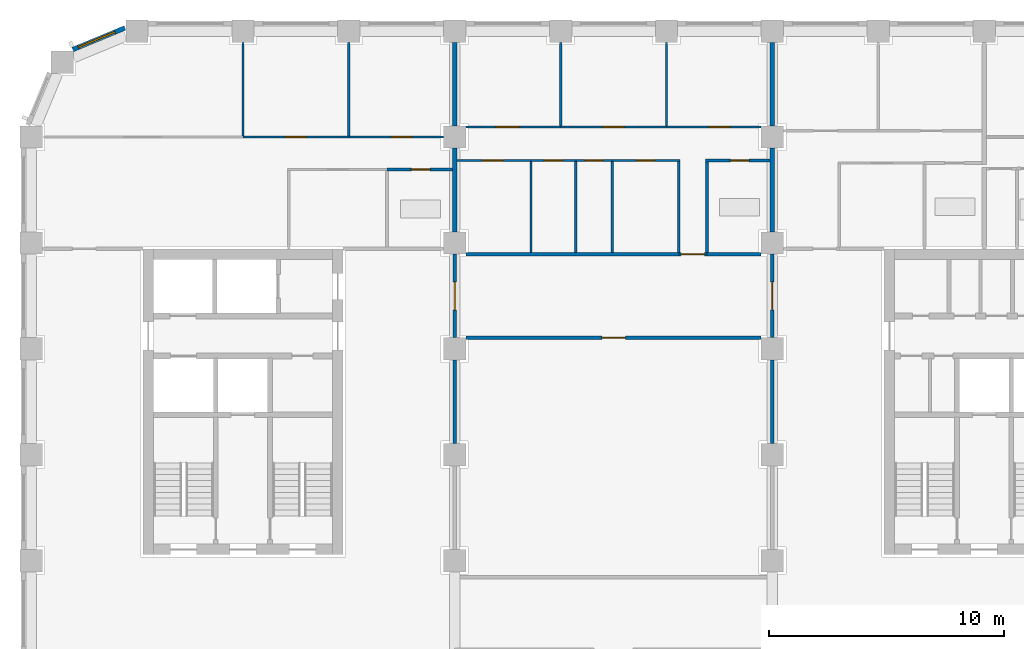
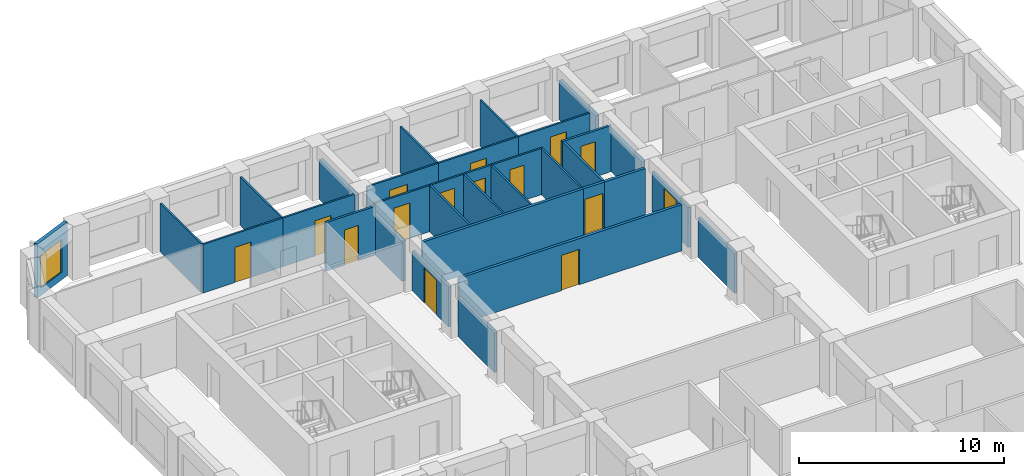
# One storey, part 7 of 13: 33 walls, 15 doors, 1 window, 16 openings.
"""IFC4 building model written with IfcOpenShell, lengths in metres."""

import ifcopenshell
import ifcopenshell.guid

model = None  # the IFC model being written
_history = None  # IfcOwnerHistory: only IFC2X3 demands one
_inside = {}  # id of a spatial element -> (the spatial element, [elements in it])
_under = {}  # id of a project, library or spatial element -> (it, [spatial elements below it])
_declared = {}  # id of a project -> (the project, [libraries it declares])
_typed = {}  # id of a type object -> (the type object, [elements of that type])
_made_of = {}  # id of a material, layer set ... -> (it, [elements and type objects made of it])


def new_model(schema):
    """Start an empty IFC model of exactly this schema.

    Asked for "IFC4X3", IfcOpenShell would pick the latest addendum, in which some entities
    have other attributes; the version numbers below select the first issue.
    IFC2X3 requires an IfcOwnerHistory on every rooted entity: one is made here for all.
    """
    global model, _history
    if schema == "IFC4X3":
        model = ifcopenshell.file(schema_version=(4, 3, 0, 0))
    else:
        model = ifcopenshell.file(schema=schema)
    _inside.clear()
    _under.clear()
    _declared.clear()
    _typed.clear()
    _made_of.clear()
    _history = None
    if model.schema == "IFC2X3":
        org = make("IfcOrganization", Name="unknown")
        user = make(
            "IfcPersonAndOrganization",
            ThePerson=make("IfcPerson", FamilyName="unknown"),
            TheOrganization=org,
        )
        app = make(
            "IfcApplication",
            ApplicationDeveloper=org,
            Version="unknown",
            ApplicationFullName="unknown",
            ApplicationIdentifier="unknown",
        )
        _history = make(
            "IfcOwnerHistory",
            OwningUser=user,
            OwningApplication=app,
            ChangeAction="ADDED",
            CreationDate=0,
        )
    return model


def make(cls, **values):
    """One entity of the class cls with the attributes given. An attribute that is None is left unset."""
    return model.create_entity(
        cls, **{name: value for name, value in values.items() if value is not None}
    )


def rooted(cls, **values):
    """An entity with a GlobalId (a new one), such as an element, a storey or a relation."""
    return make(cls, GlobalId=ifcopenshell.guid.new(), OwnerHistory=_history, **values)


def si_unit(unit_type, name, prefix=None):
    """IfcSIUnit, for example si_unit("LENGTHUNIT", "METRE", prefix="MILLI")."""
    return make("IfcSIUnit", UnitType=unit_type, Prefix=prefix, Name=name)


def assignment(units):
    """IfcUnitAssignment: the units of a project."""
    return None if units is None else make("IfcUnitAssignment", Units=units)


def point(xyz):
    """IfcCartesianPoint."""
    return None if xyz is None else make("IfcCartesianPoint", Coordinates=xyz)


def direction(xyz):
    """IfcDirection."""
    return None if xyz is None else make("IfcDirection", DirectionRatios=xyz)


def frame(location, z_axis=None, x_axis=None):
    """IfcAxis2Placement3D, a coordinate frame: its origin and axes. An axis left out is left unset."""
    return make(
        "IfcAxis2Placement3D",
        Location=point(location),
        Axis=direction(z_axis),
        RefDirection=direction(x_axis),
    )


def frame_2d(location, x_axis=None):
    """IfcAxis2Placement2D, a coordinate frame in the plane: its origin and x axis."""
    return make(
        "IfcAxis2Placement2D", Location=point(location), RefDirection=direction(x_axis)
    )


def origin():
    """The frame at (0, 0, 0) with its axes left unset."""
    return frame((0.0, 0.0, 0.0))


def place(relative_to, where):
    """IfcLocalPlacement: puts the frame where relative to a parent placement (None: the world)."""
    return make(
        "IfcLocalPlacement", PlacementRelTo=relative_to, RelativePlacement=where
    )


def context(
    kind, dimensions, precision=None, world=None, true_north=None, identifier=None
):
    """IfcGeometricRepresentationContext, for example the 3D "Model" context."""
    return make(
        "IfcGeometricRepresentationContext",
        ContextIdentifier=identifier,
        ContextType=kind,
        CoordinateSpaceDimension=dimensions,
        Precision=precision,
        WorldCoordinateSystem=world,
        TrueNorth=true_north,
    )


def subcontext(parent, identifier, kind, view, scale=None):
    """IfcGeometricRepresentationSubContext, for example "Body" below "Model"."""
    return make(
        "IfcGeometricRepresentationSubContext",
        ContextIdentifier=identifier,
        ContextType=kind,
        ParentContext=parent,
        TargetScale=scale,
        TargetView=view,
    )


def project(units=None, contexts=None):
    """IfcProject with its units and contexts."""
    return rooted(
        "IfcProject",
        Name="project",
        RepresentationContexts=contexts,
        UnitsInContext=assignment(units),
    )


def spatial(cls, under=None, at=None, **own):
    """A site, building, storey or space (cls), placed at a placement, below another one or the project."""
    s = rooted(cls, ObjectPlacement=at, **own)
    if under is not None:
        _under.setdefault(under.id(), (under, []))[1].append(s)
    return s


def profile(cls, at=None, kind="AREA", **sizes):
    """A parametric profile (cls). Its sizes go by their IFC names, for example OverallWidth=200.0."""
    return make(cls, ProfileType=kind, Position=at, **sizes)


def rectangle(**sizes):
    """IfcRectangleProfileDef."""
    return profile("IfcRectangleProfileDef", **sizes)


def extrude(swept, where, along, depth):
    """IfcExtrudedAreaSolid: the profile swept, set in the frame where, extruded along a direction by depth."""
    return make(
        "IfcExtrudedAreaSolid",
        SweptArea=swept,
        Position=where,
        ExtrudedDirection=direction(along),
        Depth=depth,
    )


def shape(context_of_items, identifier, shape_type, items):
    """IfcShapeRepresentation: the items that make up one representation, for example the "Body"."""
    return make(
        "IfcShapeRepresentation",
        ContextOfItems=context_of_items,
        RepresentationIdentifier=identifier,
        RepresentationType=shape_type,
        Items=items,
    )


def material(Name=None, Category=None):
    """IfcMaterial."""
    return make("IfcMaterial", Name=Name, Category=Category)


def layer(
    of_material, thickness, ventilated=None, Name=None, Category=None, Priority=None
):
    """IfcMaterialLayer: one layer of a wall or slab, of a material (None: an air gap)."""
    return make(
        "IfcMaterialLayer",
        Material=of_material,
        LayerThickness=thickness,
        IsVentilated=ventilated,
        Name=Name,
        Category=Category,
        Priority=Priority,
    )


def layer_set(layers, Name=None):
    """IfcMaterialLayerSet."""
    return make("IfcMaterialLayerSet", MaterialLayers=layers, LayerSetName=Name)


def made_of(thing, what):
    """Note that an element or type object is made of a material, layer set ...; save() writes the relation."""
    if what is not None:
        _made_of.setdefault(what.id(), (what, []))[1].append(thing)
    return thing


def type_object(cls, material=None, **own):
    """A type object (cls), such as IfcWallType, which elements share."""
    return made_of(rooted(cls, **own), material)


def element(
    cls,
    number,
    at=None,
    inside=None,
    cuts=None,
    type_object=None,
    material=None,
    context=None,
    identifier="Body",
    shape_type=None,
    held_by="IfcProductDefinitionShape",
    body=None,
    shapes=None,
    **own,
):
    """One element of the class cls, such as IfcWall. Its Tag is "e" and its number.

    at: its placement. inside: the storey or other place that contains it. cuts: it is an
    opening in that element (IfcRelVoidsElement). A single representation is given by context,
    identifier, shape_type and body (its items); several are given by shapes. held_by: the class
    of the entity that holds the representations. save() writes the other relations.
    """
    e = rooted(cls, Tag="e%d" % number, ObjectPlacement=at, **own)
    if body is not None:
        shapes = [shape(context, identifier, shape_type, body)]
    if shapes is not None:
        e.Representation = make(held_by, Representations=shapes)
    if inside is not None:
        _inside.setdefault(inside.id(), (inside, []))[1].append(e)
    if cuts is not None:
        rooted(
            "IfcRelVoidsElement", RelatingBuildingElement=cuts, RelatedOpeningElement=e
        )
    if type_object is not None:
        _typed.setdefault(type_object.id(), (type_object, []))[1].append(e)
    return made_of(e, material)


def fill(opening, filler):
    """IfcRelFillsElement: the door or window that sits in an opening."""
    return rooted(
        "IfcRelFillsElement",
        RelatingOpeningElement=opening,
        RelatedBuildingElement=filler,
    )


def aggregate(whole, parts):
    """IfcRelAggregates: a whole, such as a stair, and the parts it consists of."""
    return rooted("IfcRelAggregates", RelatingObject=whole, RelatedObjects=parts)


def save(model, path):
    """Write the relations noted so far, then the file.

    IfcRelAggregates (storeys below a building ...), IfcRelContainedInSpatialStructure (elements
    in a storey), IfcRelDefinesByType, IfcRelAssociatesMaterial and IfcRelDeclares: one each for
    every whole, place, type object, material and project.
    """
    for whole, parts in _under.values():
        aggregate(whole, parts)
    for where, things in _inside.values():
        rooted(
            "IfcRelContainedInSpatialStructure",
            RelatedElements=things,
            RelatingStructure=where,
        )
    for kind, things in _typed.values():
        rooted("IfcRelDefinesByType", RelatedObjects=things, RelatingType=kind)
    for what, things in _made_of.values():
        rooted("IfcRelAssociatesMaterial", RelatedObjects=things, RelatingMaterial=what)
    for by, libraries in _declared.values():
        rooted("IfcRelDeclares", RelatingContext=by, RelatedDefinitions=libraries)
    model.write(path)


model = new_model("IFC4")

# Units and contexts
model_context = context("Model", 3, precision=1e-05, world=origin(), true_north=direction((0.0, 1.0)))
body_context = subcontext(model_context, "Body", "Model", "MODEL_VIEW")
ifc_project = project(units=[si_unit("LENGTHUNIT", "METRE"), si_unit("AREAUNIT", "SQUARE_METRE"), si_unit("VOLUMEUNIT", "CUBIC_METRE"), si_unit("PLANEANGLEUNIT", "RADIAN"), si_unit("MASSUNIT", "GRAM", prefix="KILO")], contexts=[model_context])

# Site, building, storey
site_placement = place(None, origin())
site = spatial("IfcSite", under=ifc_project, at=site_placement, CompositionType="ELEMENT")
building_placement = place(site_placement, origin())
building = spatial("IfcBuilding", under=site, at=building_placement, Name="Girih Gate Residences", CompositionType="ELEMENT")
storey_placement = place(building_placement, frame((0.0, 0.0, 130.199951171875)))
storey = spatial("IfcBuildingStorey", under=building, at=storey_placement, Name="L36", CompositionType="ELEMENT", Elevation=130.199951171875)

# Wall
ifc_material_1 = material(Name="Gypsum board on steel studs", Category="steel")
ifc_layer_1 = layer(ifc_material_1, 0.14990234375)
ifc_layer_set_1 = layer_set([ifc_layer_1], Name="Compartment wall 150 mm")
wall_type_1 = type_object("IfcWallType", Name="Compartment wall 150 mm", PredefinedType="PARTITIONING", material=ifc_layer_set_1)
wall_1_placement = place(storey_placement, frame((28.72509765625, 40.02490234375, 0.0), z_axis=(0.0, 0.0, 1.0), x_axis=(1.0, 0.0, 0.0)))
element("IfcWall", 1, at=wall_1_placement, inside=storey, type_object=wall_type_1, Name="L36 partition", PredefinedType="PARTITIONING", context=body_context, shape_type="SweptSolid", body=[
    extrude(rectangle(XDim=2.2998046875, YDim=0.14990234375, at=frame_2d((1.14990234375, 0.0))), origin(), (0.0, 0.0, 1.0), 2.75),
])

# Wall, opening, door
wall_2_placement = place(storey_placement, frame((27.52490234375, 40.02490234375, 0.0), z_axis=(0.0, 0.0, 1.0), x_axis=(1.0, 0.0, 0.0)))
wall_2 = element("IfcWall", 2, at=wall_2_placement, inside=storey, type_object=wall_type_1, Name="L36 partition", PredefinedType="PARTITIONING", context=body_context, shape_type="SweptSolid", body=[
    extrude(rectangle(XDim=1.2001953125, YDim=0.14990234375, at=frame_2d((0.60009765625, 0.0))), origin(), (0.0, 0.0, 1.0), 2.75),
])
opening_1_placement = place(wall_2_placement, frame((0.10009765625, 0.0, 0.0)))
opening_1 = element("IfcOpeningElement", 3, at=opening_1_placement, cuts=wall_2, Name="Opening A36-045", PredefinedType="OPENING", context=body_context, shape_type="SweptSolid", body=[
    extrude(rectangle(XDim=1.0, YDim=2.10009765625, at=frame_2d((0.5, 1.050048828125))), frame((0.0, 0.0849609375, 0.0), z_axis=(0.0, -1.0, 0.0), x_axis=(1.0, 0.0, 0.0)), (0.0, 0.0, 1.0), 0.169921875),
])
ifc_material_2 = material(Name="Timber, fire-rated core", Category="wood")
door_type_1 = type_object("IfcDoorType", Name="Flat entrance door 1000x2100 FD30S", OperationType="NOTDEFINED", PredefinedType="DOOR", material=ifc_material_2)
door_1_placement = place(opening_1_placement, origin())
door_1 = element("IfcDoor", 4, at=door_1_placement, inside=storey, type_object=door_type_1, Name="Door A36-045", OperationType="SINGLE_SWING_RIGHT", OverallHeight=2.10009765625, OverallWidth=1.0, PredefinedType="DOOR", context=body_context, shape_type="SweptSolid", body=[
    extrude(rectangle(XDim=1.0, YDim=2.10009765625, at=frame_2d((0.5, 1.050048828125))), frame((0.0, 0.02490234375, 0.0), z_axis=(0.0, -1.0, 0.0), x_axis=(1.0, 0.0, 0.0)), (0.0, 0.0, 1.0), 0.050048828125),
])
fill(opening_1, door_1)

# Wall
wall_3_placement = place(storey_placement, frame((18.47509765625, 40.02490234375, 0.0), z_axis=(0.0, 0.0, 1.0), x_axis=(1.0, 0.0, 0.0)))
element("IfcWall", 5, at=wall_3_placement, inside=storey, type_object=wall_type_1, Name="L36 partition", PredefinedType="PARTITIONING", context=body_context, shape_type="SweptSolid", body=[
    extrude(rectangle(XDim=9.0498046875, YDim=0.14990234375, at=frame_2d((4.52490234375, 0.0))), origin(), (0.0, 0.0, 1.0), 2.75),
])

# Wall, opening, door
wall_4_placement = place(storey_placement, frame((31.02490234375, 36.47509765625, 0.0), z_axis=(0.0, 0.0, 1.0), x_axis=(-1.0, 0.0, 0.0)))
wall_4 = element("IfcWall", 6, at=wall_4_placement, inside=storey, type_object=wall_type_1, Name="L36 partition", PredefinedType="PARTITIONING", context=body_context, shape_type="SweptSolid", body=[
    extrude(rectangle(XDim=12.5498046875, YDim=0.14990234375, at=frame_2d((6.27490234375, 0.0))), origin(), (0.0, 0.0, 1.0), 2.75),
])
opening_2_placement = place(wall_4_placement, frame((5.77490234375, 0.0, 0.0)))
opening_2 = element("IfcOpeningElement", 7, at=opening_2_placement, cuts=wall_4, Name="Opening A36-046", PredefinedType="OPENING", context=body_context, shape_type="SweptSolid", body=[
    extrude(rectangle(XDim=1.0, YDim=2.10009765625, at=frame_2d((0.5, 1.050048828125))), frame((0.0, 0.0849609375, 0.0), z_axis=(0.0, -1.0, 0.0), x_axis=(1.0, 0.0, 0.0)), (0.0, 0.0, 1.0), 0.169921875),
])
door_type_2 = type_object("IfcDoorType", Name="Amenity room door 1000x2100 FD30S", OperationType="NOTDEFINED", PredefinedType="DOOR", material=ifc_material_2)
door_2_placement = place(opening_2_placement, origin())
door_2 = element("IfcDoor", 8, at=door_2_placement, inside=storey, type_object=door_type_2, Name="Door A36-046", OperationType="SINGLE_SWING_RIGHT", OverallHeight=2.10009765625, OverallWidth=1.0, PredefinedType="DOOR", context=body_context, shape_type="SweptSolid", body=[
    extrude(rectangle(XDim=1.0, YDim=2.10009765625, at=frame_2d((0.5, 1.050048828125))), frame((0.0, 0.02490234375, 0.0), z_axis=(0.0, -1.0, 0.0), x_axis=(1.0, 0.0, 0.0)), (0.0, 0.0, 1.0), 0.050048828125),
])
fill(opening_2, door_2)

wall_5_placement = place(storey_placement, frame((31.5, 36.47509765625, 0.0), z_axis=(0.0, 0.0, 1.0), x_axis=(0.0, 1.0, 0.0)))
wall_5 = element("IfcWall", 9, at=wall_5_placement, inside=storey, type_object=wall_type_1, Name="L36 partition", PredefinedType="PARTITIONING", context=body_context, shape_type="SweptSolid", body=[
    extrude(rectangle(XDim=3.5498046875, YDim=0.14990234375, at=frame_2d((1.77490234375, 0.0))), origin(), (0.0, 0.0, 1.0), 2.380126953125),
])
opening_3_placement = place(wall_5_placement, frame((1.175048828125, 0.0, 0.0)))
opening_3 = element("IfcOpeningElement", 10, at=opening_3_placement, cuts=wall_5, Name="Opening A36-047", PredefinedType="OPENING", context=body_context, shape_type="SweptSolid", body=[
    extrude(rectangle(XDim=1.199951171875, YDim=2.10009765625, at=frame_2d((0.60009765625, 1.050048828125))), frame((0.0, 0.0849609375, 0.0), z_axis=(0.0, -1.0, 0.0), x_axis=(1.0, 0.0, 0.0)), (0.0, 0.0, 1.0), 0.169921875),
])
door_type_3 = type_object("IfcDoorType", Name="Corridor fire door 1200x2100 FD30S", OperationType="NOTDEFINED", PredefinedType="DOOR", material=ifc_material_2)
door_3_placement = place(opening_3_placement, origin())
door_3 = element("IfcDoor", 11, at=door_3_placement, inside=storey, type_object=door_type_3, Name="Door A36-047", OperationType="SINGLE_SWING_LEFT", OverallHeight=2.10009765625, OverallWidth=1.199951171875, PredefinedType="DOOR", context=body_context, shape_type="SweptSolid", body=[
    extrude(rectangle(XDim=1.199951171875, YDim=2.10009765625, at=frame_2d((0.60009765625, 1.050048828125))), frame((0.0, 0.02490234375, 0.0), z_axis=(0.0, -1.0, 0.0), x_axis=(1.0, 0.0, 0.0)), (0.0, 0.0, 1.0), 0.050048828125),
])
fill(opening_3, door_3)

wall_6_placement = place(storey_placement, frame((18.0, 40.02490234375, 0.0), z_axis=(0.0, 0.0, 1.0), x_axis=(0.0, -1.0, 0.0)))
wall_6 = element("IfcWall", 12, at=wall_6_placement, inside=storey, type_object=wall_type_1, Name="L36 partition", PredefinedType="PARTITIONING", context=body_context, shape_type="SweptSolid", body=[
    extrude(rectangle(XDim=3.5498046875, YDim=0.14990234375, at=frame_2d((1.77490234375, 0.0))), origin(), (0.0, 0.0, 1.0), 2.380126953125),
])
opening_4_placement = place(wall_6_placement, frame((1.175048828125, 0.0, 0.0)))
opening_4 = element("IfcOpeningElement", 13, at=opening_4_placement, cuts=wall_6, Name="Opening A36-048", PredefinedType="OPENING", context=body_context, shape_type="SweptSolid", body=[
    extrude(rectangle(XDim=1.199951171875, YDim=2.10009765625, at=frame_2d((0.60009765625, 1.050048828125))), frame((0.0, 0.0849609375, 0.0), z_axis=(0.0, -1.0, 0.0), x_axis=(1.0, 0.0, 0.0)), (0.0, 0.0, 1.0), 0.169921875),
])
door_4_placement = place(opening_4_placement, origin())
door_4 = element("IfcDoor", 14, at=door_4_placement, inside=storey, type_object=door_type_3, Name="Door A36-048", OperationType="SINGLE_SWING_LEFT", OverallHeight=2.10009765625, OverallWidth=1.199951171875, PredefinedType="DOOR", context=body_context, shape_type="SweptSolid", body=[
    extrude(rectangle(XDim=1.199951171875, YDim=2.10009765625, at=frame_2d((0.60009765625, 1.050048828125))), frame((0.0, 0.02490234375, 0.0), z_axis=(0.0, -1.0, 0.0), x_axis=(1.0, 0.0, 0.0)), (0.0, 0.0, 1.0), 0.050048828125),
])
fill(opening_4, door_4)

# Walls
for number, where, z_axis, x_axis, name in (
    (15, (31.5, 31.97509765625, 0.0), (0.0, 0.0, 1.0), (0.0, 1.0, 0.0), "L36 partition"),
    (16, (18.0, 31.97509765625, 0.0), (0.0, 0.0, 1.0), (0.0, 1.0, 0.0), "L36 partition"),
):
    element("IfcWall", number, at=place(storey_placement, frame(where, z_axis=z_axis, x_axis=x_axis)), inside=storey, type_object=wall_type_1, Name=name, PredefinedType="PARTITIONING", context=body_context, shape_type="SweptSolid", body=[
        extrude(rectangle(XDim=3.5498046875, YDim=0.14990234375, at=frame_2d((1.77490234375, 0.0))), origin(), (0.0, 0.0, 1.0), 2.380126953125),
    ])
ifc_layer_2 = layer(ifc_material_1, 0.10009765625)
ifc_layer_set_2 = layer_set([ifc_layer_2], Name="Partition 100 mm")
wall_type_2 = type_object("IfcWallType", Name="Partition 100 mm", PredefinedType="PARTITIONING", material=ifc_layer_set_2)
wall_7_placement = place(storey_placement, frame((13.5, 45.050048828125, 0.0), z_axis=(0.0, 0.0, 1.0), x_axis=(0.0, 1.0, 0.0)))
element("IfcWall", 17, at=wall_7_placement, inside=storey, type_object=wall_type_2, Name="L36 partition", PredefinedType="PARTITIONING", context=body_context, shape_type="SweptSolid", body=[
    extrude(rectangle(XDim=3.974853515625, YDim=0.10009765625, at=frame_2d((1.9873046875, 0.0))), origin(), (0.0, 0.0, 1.0), 2.900146484375),
])

# Wall, opening, door
wall_8_placement = place(storey_placement, frame((9.0, 45.0, 0.0), z_axis=(0.0, 0.0, 1.0), x_axis=(1.0, 0.0, 0.0)))
wall_8 = element("IfcWall", 18, at=wall_8_placement, inside=storey, type_object=wall_type_2, Name="L36 partition", PredefinedType="PARTITIONING", context=body_context, shape_type="SweptSolid", body=[
    extrude(rectangle(XDim=4.5, YDim=0.10009765625, at=frame_2d((2.25, 0.0))), origin(), (0.0, 0.0, 1.0), 2.900146484375),
])
opening_5_placement = place(wall_8_placement, frame((1.800048828125, 0.0, 0.0)))
opening_5 = element("IfcOpeningElement", 19, at=opening_5_placement, cuts=wall_8, Name="Opening A36-012", PredefinedType="OPENING", context=body_context, shape_type="SweptSolid", body=[
    extrude(rectangle(XDim=0.89990234375, YDim=2.10009765625, at=frame_2d((0.449951171875, 1.050048828125))), frame((0.0, 0.06005859375, 0.0), z_axis=(0.0, -1.0, 0.0), x_axis=(1.0, 0.0, 0.0)), (0.0, 0.0, 1.0), 0.1201171875),
])
ifc_material_3 = material(Name="Timber", Category="wood")
door_type_4 = type_object("IfcDoorType", Name="Bedroom door 900x2100", OperationType="NOTDEFINED", PredefinedType="DOOR", material=ifc_material_3)
door_5_placement = place(opening_5_placement, origin())
door_5 = element("IfcDoor", 20, at=door_5_placement, inside=storey, type_object=door_type_4, Name="Door A36-012", OperationType="SINGLE_SWING_LEFT", OverallHeight=2.10009765625, OverallWidth=0.89990234375, PredefinedType="DOOR", context=body_context, shape_type="SweptSolid", body=[
    extrude(rectangle(XDim=0.89990234375, YDim=2.10009765625, at=frame_2d((0.449951171875, 1.050048828125))), frame((0.0, 0.02490234375, 0.0), z_axis=(0.0, -1.0, 0.0), x_axis=(1.0, 0.0, 0.0)), (0.0, 0.0, 1.0), 0.050048828125),
])
fill(opening_5, door_5)

# Wall
wall_9_placement = place(storey_placement, frame((9.0, 45.050048828125, 0.0), z_axis=(0.0, 0.0, 1.0), x_axis=(0.0, 1.0, 0.0)))
element("IfcWall", 21, at=wall_9_placement, inside=storey, type_object=wall_type_2, Name="L36 partition", PredefinedType="PARTITIONING", context=body_context, shape_type="SweptSolid", body=[
    extrude(rectangle(XDim=3.974853515625, YDim=0.10009765625, at=frame_2d((1.9873046875, 0.0))), origin(), (0.0, 0.0, 1.0), 2.900146484375),
])

# Wall, opening, door
wall_10_placement = place(storey_placement, frame((13.5, 45.0, 0.0), z_axis=(0.0, 0.0, 1.0), x_axis=(1.0, 0.0, 0.0)))
wall_10 = element("IfcWall", 22, at=wall_10_placement, inside=storey, type_object=wall_type_2, Name="L36 partition", PredefinedType="PARTITIONING", context=body_context, shape_type="SweptSolid", body=[
    extrude(rectangle(XDim=4.02490234375, YDim=0.10009765625, at=frame_2d((2.012451171875, 0.0))), origin(), (0.0, 0.0, 1.0), 2.900146484375),
])
opening_6_placement = place(wall_10_placement, frame((1.800048828125, 0.0, 0.0)))
opening_6 = element("IfcOpeningElement", 23, at=opening_6_placement, cuts=wall_10, Name="Opening A36-013", PredefinedType="OPENING", context=body_context, shape_type="SweptSolid", body=[
    extrude(rectangle(XDim=0.89990234375, YDim=2.10009765625, at=frame_2d((0.449951171875, 1.050048828125))), frame((0.0, 0.06005859375, 0.0), z_axis=(0.0, -1.0, 0.0), x_axis=(1.0, 0.0, 0.0)), (0.0, 0.0, 1.0), 0.1201171875),
])
door_6_placement = place(opening_6_placement, origin())
door_6 = element("IfcDoor", 24, at=door_6_placement, inside=storey, type_object=door_type_4, Name="Door A36-013", OperationType="SINGLE_SWING_RIGHT", OverallHeight=2.10009765625, OverallWidth=0.89990234375, PredefinedType="DOOR", context=body_context, shape_type="SweptSolid", body=[
    extrude(rectangle(XDim=0.89990234375, YDim=2.10009765625, at=frame_2d((0.449951171875, 1.050048828125))), frame((0.0, 0.02490234375, 0.0), z_axis=(0.0, -1.0, 0.0), x_axis=(1.0, 0.0, 0.0)), (0.0, 0.0, 1.0), 0.050048828125),
])
fill(opening_6, door_6)

# Wall
wall_11_placement = place(storey_placement, frame((27.0, 45.47509765625, 0.0), z_axis=(0.0, 0.0, 1.0), x_axis=(0.0, 1.0, 0.0)))
element("IfcWall", 25, at=wall_11_placement, inside=storey, type_object=wall_type_2, Name="L36 partition", PredefinedType="PARTITIONING", context=body_context, shape_type="SweptSolid", body=[
    extrude(rectangle(XDim=3.5498046875, YDim=0.10009765625, at=frame_2d((1.77490234375, 0.0))), origin(), (0.0, 0.0, 1.0), 2.75),
])

# Wall, opening, door
wall_12_placement = place(storey_placement, frame((22.5, 45.425048828125, 0.0), z_axis=(0.0, 0.0, 1.0), x_axis=(1.0, 0.0, 0.0)))
wall_12 = element("IfcWall", 26, at=wall_12_placement, inside=storey, type_object=wall_type_2, Name="L36 partition", PredefinedType="PARTITIONING", context=body_context, shape_type="SweptSolid", body=[
    extrude(rectangle(XDim=4.5, YDim=0.10009765625, at=frame_2d((2.25, 0.0))), origin(), (0.0, 0.0, 1.0), 2.75),
])
opening_7_placement = place(wall_12_placement, frame((1.800048828125, 0.0, 0.0)))
opening_7 = element("IfcOpeningElement", 27, at=opening_7_placement, cuts=wall_12, Name="Opening A36-038", PredefinedType="OPENING", context=body_context, shape_type="SweptSolid", body=[
    extrude(rectangle(XDim=0.89990234375, YDim=2.10009765625, at=frame_2d((0.449951171875, 1.050048828125))), frame((0.0, 0.06005859375, 0.0), z_axis=(0.0, -1.0, 0.0), x_axis=(1.0, 0.0, 0.0)), (0.0, 0.0, 1.0), 0.1201171875),
])
door_7_placement = place(opening_7_placement, origin())
door_7 = element("IfcDoor", 28, at=door_7_placement, inside=storey, type_object=door_type_4, Name="Door A36-038", OperationType="SINGLE_SWING_LEFT", OverallHeight=2.10009765625, OverallWidth=0.89990234375, PredefinedType="DOOR", context=body_context, shape_type="SweptSolid", body=[
    extrude(rectangle(XDim=0.89990234375, YDim=2.10009765625, at=frame_2d((0.449951171875, 1.050048828125))), frame((0.0, 0.02490234375, 0.0), z_axis=(0.0, -1.0, 0.0), x_axis=(1.0, 0.0, 0.0)), (0.0, 0.0, 1.0), 0.050048828125),
])
fill(opening_7, door_7)

# Wall
wall_13_placement = place(storey_placement, frame((22.5, 45.47509765625, 0.0), z_axis=(0.0, 0.0, 1.0), x_axis=(0.0, 1.0, 0.0)))
element("IfcWall", 29, at=wall_13_placement, inside=storey, type_object=wall_type_2, Name="L36 partition", PredefinedType="PARTITIONING", context=body_context, shape_type="SweptSolid", body=[
    extrude(rectangle(XDim=3.5498046875, YDim=0.10009765625, at=frame_2d((1.77490234375, 0.0))), origin(), (0.0, 0.0, 1.0), 2.75),
])

# Wall, opening, door
wall_14_placement = place(storey_placement, frame((27.0, 45.425048828125, 0.0), z_axis=(0.0, 0.0, 1.0), x_axis=(1.0, 0.0, 0.0)))
wall_14 = element("IfcWall", 30, at=wall_14_placement, inside=storey, type_object=wall_type_2, Name="L36 partition", PredefinedType="PARTITIONING", context=body_context, shape_type="SweptSolid", body=[
    extrude(rectangle(XDim=4.02490234375, YDim=0.10009765625, at=frame_2d((2.012451171875, 0.0))), origin(), (0.0, 0.0, 1.0), 2.75),
])
opening_8_placement = place(wall_14_placement, frame((1.800048828125, 0.0, 0.0)))
opening_8 = element("IfcOpeningElement", 31, at=opening_8_placement, cuts=wall_14, Name="Opening A36-039", PredefinedType="OPENING", context=body_context, shape_type="SweptSolid", body=[
    extrude(rectangle(XDim=0.89990234375, YDim=2.10009765625, at=frame_2d((0.449951171875, 1.050048828125))), frame((0.0, 0.06005859375, 0.0), z_axis=(0.0, -1.0, 0.0), x_axis=(1.0, 0.0, 0.0)), (0.0, 0.0, 1.0), 0.1201171875),
])
door_8_placement = place(opening_8_placement, origin())
door_8 = element("IfcDoor", 32, at=door_8_placement, inside=storey, type_object=door_type_4, Name="Door A36-039", OperationType="SINGLE_SWING_RIGHT", OverallHeight=2.10009765625, OverallWidth=0.89990234375, PredefinedType="DOOR", context=body_context, shape_type="SweptSolid", body=[
    extrude(rectangle(XDim=0.89990234375, YDim=2.10009765625, at=frame_2d((0.449951171875, 1.050048828125))), frame((0.0, 0.02490234375, 0.0), z_axis=(0.0, -1.0, 0.0), x_axis=(1.0, 0.0, 0.0)), (0.0, 0.0, 1.0), 0.050048828125),
])
fill(opening_8, door_8)

wall_15_placement = place(storey_placement, frame((27.574951171875, 44.0048828125, 0.0), z_axis=(0.0, 0.0, 1.0), x_axis=(-1.0, 0.0, 0.0)))
wall_15 = element("IfcWall", 33, at=wall_15_placement, inside=storey, type_object=wall_type_2, Name="L36 partition", PredefinedType="PARTITIONING", context=body_context, shape_type="SweptSolid", body=[
    extrude(rectangle(XDim=2.881103515625, YDim=0.10009765625, at=frame_2d((1.4404296875, 0.0))), origin(), (0.0, 0.0, 1.0), 2.75),
])
opening_9_placement = place(wall_15_placement, frame((1.065673828125, 0.0, 0.0)))
opening_9 = element("IfcOpeningElement", 34, at=opening_9_placement, cuts=wall_15, Name="Opening A36-040", PredefinedType="OPENING", context=body_context, shape_type="SweptSolid", body=[
    extrude(rectangle(XDim=0.800048828125, YDim=2.10009765625, at=frame_2d((0.39990234375, 1.050048828125))), frame((0.0, 0.06005859375, 0.0), z_axis=(0.0, -1.0, 0.0), x_axis=(1.0, 0.0, 0.0)), (0.0, 0.0, 1.0), 0.1201171875),
])
door_type_5 = type_object("IfcDoorType", Name="Store door 800x2100", OperationType="NOTDEFINED", PredefinedType="DOOR", material=ifc_material_3)
door_9_placement = place(opening_9_placement, origin())
door_9 = element("IfcDoor", 35, at=door_9_placement, inside=storey, type_object=door_type_5, Name="Door A36-040", OperationType="SINGLE_SWING_RIGHT", OverallHeight=2.10009765625, OverallWidth=0.800048828125, PredefinedType="DOOR", context=body_context, shape_type="SweptSolid", body=[
    extrude(rectangle(XDim=0.800048828125, YDim=2.10009765625, at=frame_2d((0.39990234375, 1.050048828125))), frame((0.0, 0.02490234375, 0.0), z_axis=(0.0, -1.0, 0.0), x_axis=(1.0, 0.0, 0.0)), (0.0, 0.0, 1.0), 0.050048828125),
])
fill(opening_9, door_9)

# Walls
for number, where, z_axis, x_axis, name in (
    (36, (27.52490234375, 40.10009765625, 0.0), (0.0, 0.0, 1.0), (0.0, 1.0, 0.0), "L36 partition"),
    (37, (24.694091796875, 40.10009765625, 0.0), (0.0, 0.0, 1.0), (0.0, 1.0, 0.0), "L36 partition"),
):
    element("IfcWall", number, at=place(storey_placement, frame(where, z_axis=z_axis, x_axis=x_axis)), inside=storey, type_object=wall_type_2, Name=name, PredefinedType="PARTITIONING", context=body_context, shape_type="SweptSolid", body=[
        extrude(rectangle(XDim=3.85498046875, YDim=0.10009765625, at=frame_2d((1.927490234375, 0.0))), origin(), (0.0, 0.0, 1.0), 2.75),
    ])

# Wall, opening, door
wall_16_placement = place(storey_placement, frame((21.23974609375, 44.0048828125, 0.0), z_axis=(0.0, 0.0, 1.0), x_axis=(-1.0, 0.0, 0.0)))
wall_16 = element("IfcWall", 38, at=wall_16_placement, inside=storey, type_object=wall_type_2, Name="L36 partition", PredefinedType="PARTITIONING", context=body_context, shape_type="SweptSolid", body=[
    extrude(rectangle(XDim=3.1396484375, YDim=0.10009765625, at=frame_2d((1.56982421875, 0.0))), origin(), (0.0, 0.0, 1.0), 2.75),
])
opening_10_placement = place(wall_16_placement, frame((1.169921875, 0.0, 0.0)))
opening_10 = element("IfcOpeningElement", 39, at=opening_10_placement, cuts=wall_16, Name="Opening A36-041", PredefinedType="OPENING", context=body_context, shape_type="SweptSolid", body=[
    extrude(rectangle(XDim=0.89990234375, YDim=2.10009765625, at=frame_2d((0.449951171875, 1.050048828125))), frame((0.0, 0.06005859375, 0.0), z_axis=(0.0, -1.0, 0.0), x_axis=(1.0, 0.0, 0.0)), (0.0, 0.0, 1.0), 0.1201171875),
])
door_type_6 = type_object("IfcDoorType", Name="Kitchen door 900x2100", OperationType="NOTDEFINED", PredefinedType="DOOR", material=ifc_material_3)
door_10_placement = place(opening_10_placement, origin())
door_10 = element("IfcDoor", 40, at=door_10_placement, inside=storey, type_object=door_type_6, Name="Door A36-041", OperationType="SINGLE_SWING_RIGHT", OverallHeight=2.10009765625, OverallWidth=0.89990234375, PredefinedType="DOOR", context=body_context, shape_type="SweptSolid", body=[
    extrude(rectangle(XDim=0.89990234375, YDim=2.10009765625, at=frame_2d((0.449951171875, 1.050048828125))), frame((0.0, 0.02490234375, 0.0), z_axis=(0.0, -1.0, 0.0), x_axis=(1.0, 0.0, 0.0)), (0.0, 0.0, 1.0), 0.050048828125),
])
fill(opening_10, door_10)

wall_17_placement = place(storey_placement, frame((18.47509765625, 45.425048828125, 0.0), z_axis=(0.0, 0.0, 1.0), x_axis=(1.0, 0.0, 0.0)))
wall_17 = element("IfcWall", 41, at=wall_17_placement, inside=storey, type_object=wall_type_2, Name="L36 partition", PredefinedType="PARTITIONING", context=body_context, shape_type="SweptSolid", body=[
    extrude(rectangle(XDim=4.02490234375, YDim=0.10009765625, at=frame_2d((2.012451171875, 0.0))), origin(), (0.0, 0.0, 1.0), 2.75),
])
opening_11_placement = place(wall_17_placement, frame((1.27490234375, 0.0, 0.0)))
opening_11 = element("IfcOpeningElement", 42, at=opening_11_placement, cuts=wall_17, Name="Opening A36-042", PredefinedType="OPENING", context=body_context, shape_type="SweptSolid", body=[
    extrude(rectangle(XDim=1.0, YDim=2.10009765625, at=frame_2d((0.5, 1.050048828125))), frame((0.0, 0.06005859375, 0.0), z_axis=(0.0, -1.0, 0.0), x_axis=(1.0, 0.0, 0.0)), (0.0, 0.0, 1.0), 0.1201171875),
])
door_type_7 = type_object("IfcDoorType", Name="Living room door 1000x2100", OperationType="NOTDEFINED", PredefinedType="DOOR", material=ifc_material_3)
door_11_placement = place(opening_11_placement, origin())
door_11 = element("IfcDoor", 43, at=door_11_placement, inside=storey, type_object=door_type_7, Name="Door A36-042", OperationType="SINGLE_SWING_LEFT", OverallHeight=2.10009765625, OverallWidth=1.0, PredefinedType="DOOR", context=body_context, shape_type="SweptSolid", body=[
    extrude(rectangle(XDim=1.0, YDim=2.10009765625, at=frame_2d((0.5, 1.050048828125))), frame((0.0, 0.02490234375, 0.0), z_axis=(0.0, -1.0, 0.0), x_axis=(1.0, 0.0, 0.0)), (0.0, 0.0, 1.0), 0.050048828125),
])
fill(opening_11, door_11)

wall_18_placement = place(storey_placement, frame((24.69384765625, 44.0048828125, 0.0), z_axis=(0.0, 0.0, 1.0), x_axis=(-1.0, 0.0, 0.0)))
wall_18 = element("IfcWall", 44, at=wall_18_placement, inside=storey, type_object=wall_type_2, Name="L36 partition", PredefinedType="PARTITIONING", context=body_context, shape_type="SweptSolid", body=[
    extrude(rectangle(XDim=1.5439453125, YDim=0.10009765625, at=frame_2d((0.77197265625, 0.0))), origin(), (0.0, 0.0, 1.0), 2.75),
])
opening_12_placement = place(wall_18_placement, frame((0.3720703125, 0.0, 0.0)))
opening_12 = element("IfcOpeningElement", 45, at=opening_12_placement, cuts=wall_18, Name="Opening A36-043", PredefinedType="OPENING", context=body_context, shape_type="SweptSolid", body=[
    extrude(rectangle(XDim=0.800048828125, YDim=2.10009765625, at=frame_2d((0.39990234375, 1.050048828125))), frame((0.0, 0.06005859375, 0.0), z_axis=(0.0, -1.0, 0.0), x_axis=(1.0, 0.0, 0.0)), (0.0, 0.0, 1.0), 0.1201171875),
])
door_12_placement = place(opening_12_placement, origin())
door_12 = element("IfcDoor", 46, at=door_12_placement, inside=storey, type_object=door_type_5, Name="Door A36-043", OperationType="SINGLE_SWING_LEFT", OverallHeight=2.10009765625, OverallWidth=0.800048828125, PredefinedType="DOOR", context=body_context, shape_type="SweptSolid", body=[
    extrude(rectangle(XDim=0.800048828125, YDim=2.10009765625, at=frame_2d((0.39990234375, 1.050048828125))), frame((0.0, 0.02490234375, 0.0), z_axis=(0.0, -1.0, 0.0), x_axis=(1.0, 0.0, 0.0)), (0.0, 0.0, 1.0), 0.050048828125),
])
fill(opening_12, door_12)

wall_19_placement = place(storey_placement, frame((23.14990234375, 44.0048828125, 0.0), z_axis=(0.0, 0.0, 1.0), x_axis=(-1.0, 0.0, 0.0)))
wall_19 = element("IfcWall", 47, at=wall_19_placement, inside=storey, type_object=wall_type_2, Name="L36 partition", PredefinedType="PARTITIONING", context=body_context, shape_type="SweptSolid", body=[
    extrude(rectangle(XDim=1.91015625, YDim=0.10009765625, at=frame_2d((0.955078125, 0.0))), origin(), (0.0, 0.0, 1.0), 2.75),
])
opening_13_placement = place(wall_19_placement, frame((0.554931640625, 0.0, 0.0)))
opening_13 = element("IfcOpeningElement", 48, at=opening_13_placement, cuts=wall_19, Name="Opening A36-044", PredefinedType="OPENING", context=body_context, shape_type="SweptSolid", body=[
    extrude(rectangle(XDim=0.800048828125, YDim=2.10009765625, at=frame_2d((0.39990234375, 1.050048828125))), frame((0.0, 0.06005859375, 0.0), z_axis=(0.0, -1.0, 0.0), x_axis=(1.0, 0.0, 0.0)), (0.0, 0.0, 1.0), 0.1201171875),
])
door_13_placement = place(opening_13_placement, origin())
door_13 = element("IfcDoor", 49, at=door_13_placement, inside=storey, type_object=door_type_5, Name="Door A36-044", OperationType="SINGLE_SWING_LEFT", OverallHeight=2.10009765625, OverallWidth=0.800048828125, PredefinedType="DOOR", context=body_context, shape_type="SweptSolid", body=[
    extrude(rectangle(XDim=0.800048828125, YDim=2.10009765625, at=frame_2d((0.39990234375, 1.050048828125))), frame((0.0, 0.02490234375, 0.0), z_axis=(0.0, -1.0, 0.0), x_axis=(1.0, 0.0, 0.0)), (0.0, 0.0, 1.0), 0.050048828125),
])
fill(opening_13, door_13)

# Walls
for number, where, z_axis, x_axis, name in (
    (50, (21.239990234375, 40.10009765625, 0.0), (0.0, 0.0, 1.0), (0.0, 1.0, 0.0), "L36 partition"),
    (51, (23.14990234375, 40.10009765625, 0.0), (0.0, 0.0, 1.0), (0.0, 1.0, 0.0), "L36 partition"),
):
    element("IfcWall", number, at=place(storey_placement, frame(where, z_axis=z_axis, x_axis=x_axis)), inside=storey, type_object=wall_type_2, Name=name, PredefinedType="PARTITIONING", context=body_context, shape_type="SweptSolid", body=[
        extrude(rectangle(XDim=3.85498046875, YDim=0.10009765625, at=frame_2d((1.927490234375, 0.0))), origin(), (0.0, 0.0, 1.0), 2.75),
    ])
ifc_layer_3 = layer(ifc_material_1, 0.199951171875)
ifc_layer_set_3 = layer_set([ifc_layer_3], Name="Party wall 200 mm")
wall_type_3 = type_object("IfcWallType", Name="Party wall 200 mm", PredefinedType="PARTITIONING", material=ifc_layer_set_3)
for number, where, z_axis, x_axis, name in (
    (52, (18.0, 40.97509765625, 0.0), (0.0, 0.0, 1.0), (0.0, 1.0, 0.0), "L36 partition"),
    (53, (18.0, 45.47509765625, 0.0), (0.0, 0.0, 1.0), (0.0, 1.0, 0.0), "L36 partition"),
    (54, (31.5, 40.97509765625, 0.0), (0.0, 0.0, 1.0), (0.0, 1.0, 0.0), "L36 partition"),
    (55, (31.5, 45.47509765625, 0.0), (0.0, 0.0, 1.0), (0.0, 1.0, 0.0), "L36 partition"),
):
    element("IfcWall", number, at=place(storey_placement, frame(where, z_axis=z_axis, x_axis=x_axis)), inside=storey, type_object=wall_type_3, Name=name, PredefinedType="PARTITIONING", context=body_context, shape_type="SweptSolid", body=[
        extrude(rectangle(XDim=3.5498046875, YDim=0.199951171875, at=frame_2d((1.77490234375, 0.0))), origin(), (0.0, 0.0, 1.0), 2.380126953125),
    ])

# Wall, opening, window
ifc_material_4 = material(Name="Precast concrete C50/60", Category="concrete")
ifc_layer_4 = layer(ifc_material_4, 0.06005859375, Name="Outer leaf")
ifc_material_5 = material(Name="Rigid PIR insulation")
ifc_layer_5 = layer(ifc_material_5, 0.090087890625, Name="Insulation")
ifc_material_6 = material(Name="Precast concrete C40/50", Category="concrete")
ifc_layer_6 = layer(ifc_material_6, 0.050048828125, Name="Inner leaf")
ifc_layer_set_4 = layer_set([ifc_layer_4, ifc_layer_5, ifc_layer_6], Name="Precast concrete C50/60 external wall 200")
wall_type_4 = type_object("IfcWallType", Name="Precast concrete C50/60 external wall 200", PredefinedType="SOLIDWALL", material=ifc_layer_set_4)
wall_20_placement = place(storey_placement, frame((1.76708984375, 48.7197265625, 0.0), z_axis=(0.0, 0.0, 1.0), x_axis=(0.923880599843, 0.382680855588, 0.0)))
wall_20 = element("IfcWall", 56, at=wall_20_placement, inside=storey, type_object=wall_type_4, Name="External wall NW0045_0495.0", PredefinedType="SOLIDWALL", context=body_context, shape_type="SweptSolid", body=[
    extrude(rectangle(XDim=2.402587890625, YDim=0.199951171875, at=frame_2d((1.201171875, 0.0))), origin(), (0.0, 0.0, 1.0), 3.199951171875),
])
opening_14_placement = place(wall_20_placement, frame((0.25146484375, 0.0, 0.449951171875)))
opening_14 = element("IfcOpeningElement", 57, at=opening_14_placement, cuts=wall_20, Name="Opening W-2E", PredefinedType="OPENING", context=body_context, shape_type="SweptSolid", body=[
    extrude(rectangle(XDim=1.699951171875, YDim=1.949951171875, at=frame_2d((0.85009765625, 0.97509765625))), frame((0.0, 0.10986328125, 0.0), z_axis=(0.0, -1.0, 0.0), x_axis=(1.0, 0.0, 0.0)), (0.0, 0.0, 1.0), 0.219970703125),
])
ifc_material_7 = material(Name="Double glazing in aluminium frame", Category="aluminium")
window_type = type_object("IfcWindowType", Name="Window W-2E 1700x1950", PartitioningType="SINGLE_PANEL", PredefinedType="WINDOW", material=ifc_material_7)
window_placement = place(opening_14_placement, origin())
window = element("IfcWindow", 58, at=window_placement, inside=storey, type_object=window_type, Name="Window W-2E NW0045_0495.0", OverallHeight=1.949951171875, OverallWidth=1.699951171875, PartitioningType="SINGLE_PANEL", PredefinedType="WINDOW", context=body_context, shape_type="SweptSolid", body=[
    extrude(rectangle(XDim=1.699951171875, YDim=1.949951171875, at=frame_2d((0.85009765625, 0.97509765625))), frame((0.0, 0.030029296875, 0.0), z_axis=(0.0, -1.0, 0.0), x_axis=(1.0, 0.0, 0.0)), (0.0, 0.0, 1.0), 0.06005859375),
])
fill(opening_14, window)

# Wall, opening, door
ifc_layer_7 = layer(ifc_material_1, 0.125)
ifc_layer_set_5 = layer_set([ifc_layer_7], Name="Wet room wall 125 mm")
wall_type_5 = type_object("IfcWallType", Name="Wet room wall 125 mm", PredefinedType="PARTITIONING", material=ifc_layer_set_5)
wall_21_placement = place(storey_placement, frame((17.89990234375, 43.6201171875, 0.0), z_axis=(0.0, 0.0, 1.0), x_axis=(-1.0, 0.0, 0.0)))
wall_21 = element("IfcWall", 59, at=wall_21_placement, inside=storey, type_object=wall_type_5, Name="L36 partition", PredefinedType="PARTITIONING", context=body_context, shape_type="SweptSolid", body=[
    extrude(rectangle(XDim=2.780517578125, YDim=0.125, at=frame_2d((1.39013671875, 0.0))), origin(), (0.0, 0.0, 1.0), 2.900146484375),
])
opening_15_placement = place(wall_21_placement, frame((0.940185546875, 0.0, 0.0)))
opening_15 = element("IfcOpeningElement", 60, at=opening_15_placement, cuts=wall_21, Name="Opening A36-011", PredefinedType="OPENING", context=body_context, shape_type="SweptSolid", body=[
    extrude(rectangle(XDim=0.800048828125, YDim=2.10009765625, at=frame_2d((0.39990234375, 1.050048828125))), frame((0.0, 0.072509765625, 0.0), z_axis=(0.0, -1.0, 0.0), x_axis=(1.0, 0.0, 0.0)), (0.0, 0.0, 1.0), 0.14501953125),
])
door_type_8 = type_object("IfcDoorType", Name="Bathroom door 800x2100", OperationType="NOTDEFINED", PredefinedType="DOOR", material=ifc_material_3)
door_14_placement = place(opening_15_placement, origin())
door_14 = element("IfcDoor", 61, at=door_14_placement, inside=storey, type_object=door_type_8, Name="Door A36-011", OperationType="SINGLE_SWING_LEFT", OverallHeight=2.10009765625, OverallWidth=0.800048828125, PredefinedType="DOOR", context=body_context, shape_type="SweptSolid", body=[
    extrude(rectangle(XDim=0.800048828125, YDim=2.10009765625, at=frame_2d((0.39990234375, 1.050048828125))), frame((0.0, 0.02490234375, 0.0), z_axis=(0.0, -1.0, 0.0), x_axis=(1.0, 0.0, 0.0)), (0.0, 0.0, 1.0), 0.050048828125),
])
fill(opening_15, door_14)

# Wall
wall_22_placement = place(storey_placement, frame((28.72509765625, 40.10009765625, 0.0), z_axis=(0.0, 0.0, 1.0), x_axis=(0.0, 1.0, 0.0)))
element("IfcWall", 62, at=wall_22_placement, inside=storey, type_object=wall_type_5, Name="L36 partition", PredefinedType="PARTITIONING", context=body_context, shape_type="SweptSolid", body=[
    extrude(rectangle(XDim=3.84228515625, YDim=0.125, at=frame_2d((1.921142578125, 0.0))), origin(), (0.0, 0.0, 1.0), 2.75),
])

# Wall, opening, door
wall_23_placement = place(storey_placement, frame((31.39990234375, 44.0048828125, 0.0), z_axis=(0.0, 0.0, 1.0), x_axis=(-1.0, 0.0, 0.0)))
wall_23 = element("IfcWall", 63, at=wall_23_placement, inside=storey, type_object=wall_type_5, Name="L36 partition", PredefinedType="PARTITIONING", context=body_context, shape_type="SweptSolid", body=[
    extrude(rectangle(XDim=2.7373046875, YDim=0.125, at=frame_2d((1.36865234375, 0.0))), origin(), (0.0, 0.0, 1.0), 2.75),
])
opening_16_placement = place(wall_23_placement, frame((0.887451171875, 0.0, 0.0)))
opening_16 = element("IfcOpeningElement", 64, at=opening_16_placement, cuts=wall_23, Name="Opening A36-037", PredefinedType="OPENING", context=body_context, shape_type="SweptSolid", body=[
    extrude(rectangle(XDim=0.800048828125, YDim=2.10009765625, at=frame_2d((0.39990234375, 1.050048828125))), frame((0.0, 0.072509765625, 0.0), z_axis=(0.0, -1.0, 0.0), x_axis=(1.0, 0.0, 0.0)), (0.0, 0.0, 1.0), 0.14501953125),
])
door_15_placement = place(opening_16_placement, origin())
door_15 = element("IfcDoor", 65, at=door_15_placement, inside=storey, type_object=door_type_8, Name="Door A36-037", OperationType="SINGLE_SWING_LEFT", OverallHeight=2.10009765625, OverallWidth=0.800048828125, PredefinedType="DOOR", context=body_context, shape_type="SweptSolid", body=[
    extrude(rectangle(XDim=0.800048828125, YDim=2.10009765625, at=frame_2d((0.39990234375, 1.050048828125))), frame((0.0, 0.02490234375, 0.0), z_axis=(0.0, -1.0, 0.0), x_axis=(1.0, 0.0, 0.0)), (0.0, 0.0, 1.0), 0.050048828125),
])
fill(opening_16, door_15)

save(model, "model.ifc")
